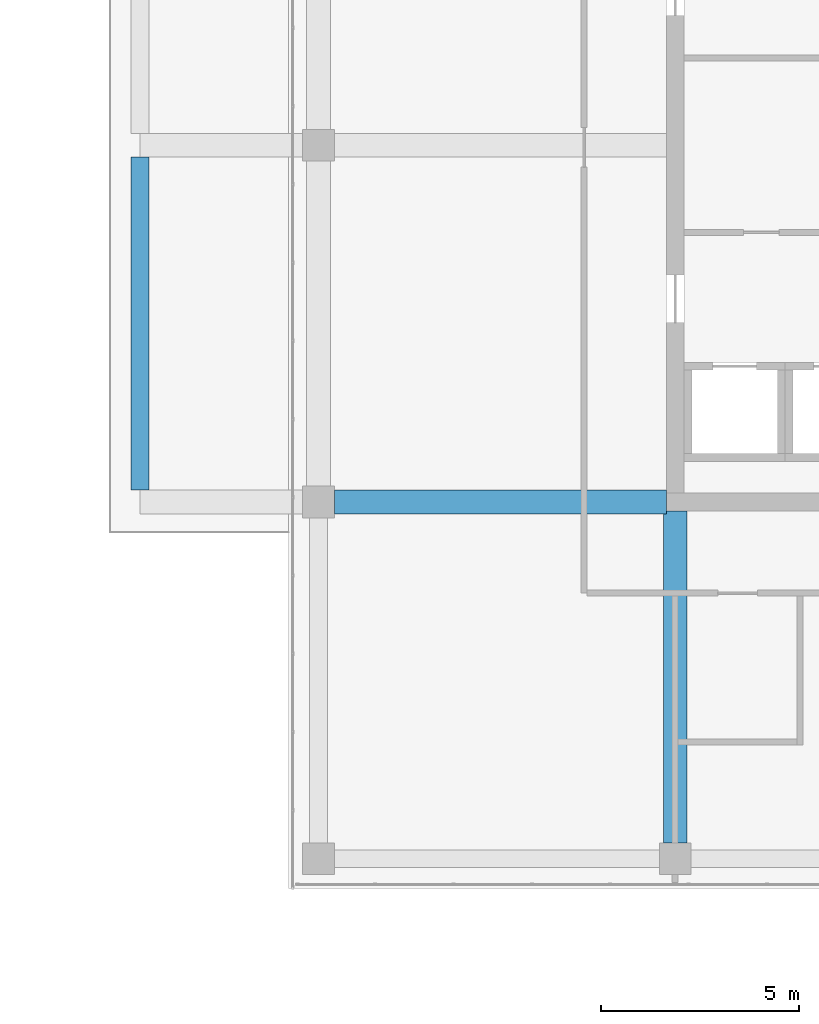
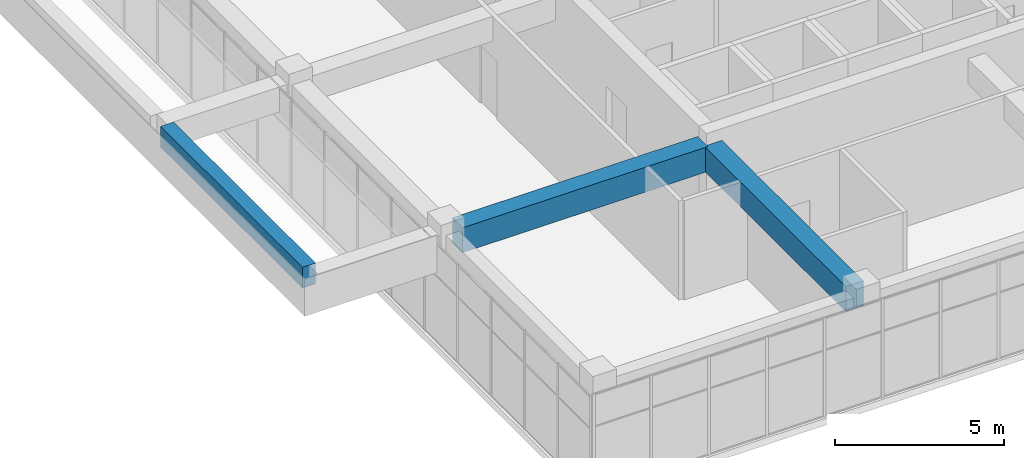
# One storey, part 17 of 52: 3 beams.
"""IFC4 building model written with IfcOpenShell, lengths in metres."""

from ifc_helpers import new_model, si_unit, direction, frame, origin, origin_2d, place, context, subcontext, project, spatial, rectangle, extrude, material, material_profile, profile_set, type_object, element, save


model = new_model("IFC4")

# Units and contexts
model_context = context("Model", 3, precision=1e-05, world=origin(), true_north=direction((0.0, 1.0)))
body_context = subcontext(model_context, "Body", "Model", "MODEL_VIEW")
ifc_project = project(units=[si_unit("LENGTHUNIT", "METRE"), si_unit("AREAUNIT", "SQUARE_METRE"), si_unit("VOLUMEUNIT", "CUBIC_METRE"), si_unit("PLANEANGLEUNIT", "RADIAN"), si_unit("MASSUNIT", "GRAM", prefix="KILO")], contexts=[model_context])

# Site, building, storey
site_placement = place(None, origin())
site = spatial("IfcSite", under=ifc_project, at=site_placement, CompositionType="ELEMENT")
building_placement = place(site_placement, origin())
building = spatial("IfcBuilding", under=site, at=building_placement, Name="Tuart Plaza Theatre", CompositionType="ELEMENT")
storey_placement = place(building_placement, frame((0.0, 0.0, 25.5)))
storey = spatial("IfcBuildingStorey", under=building, at=storey_placement, Name="L06", CompositionType="ELEMENT", Elevation=25.5)

# Beams
ifc_material_1 = material(Name="Concrete N40 (40 MPa)", Category="concrete")
ifc_material_profile_1 = material_profile(ifc_material_1, rectangle(XDim=0.449951171875, YDim=0.75, at=origin_2d()), Name="BEAM 450x750 Concrete N40 (40 MPa)")
ifc_profile_set_1 = profile_set([ifc_material_profile_1], Name="Concrete N40 (40 MPa)")
beam_type_1 = type_object("IfcBeamType", Name="BEAM 450x750 Concrete N40 (40 MPa)", PredefinedType="BEAM", material=ifc_profile_set_1)
beam_placement = place(storey_placement, frame((109.5, 65.300048828125, 3.205078125), z_axis=(0.0, 1.0, 0.0), x_axis=(-1.0, 0.0, 0.0)))
element("IfcBeam", 1, at=beam_placement, inside=storey, type_object=beam_type_1, Name="RB241", PredefinedType="BEAM", context=body_context, shape_type="SweptSolid", body=[
    extrude(rectangle(XDim=0.449951171875, YDim=0.75, at=origin_2d()), origin(), (0.0, 0.0, 1.0), 8.39990234375),
])
ifc_material_2 = material(Name="Concrete N40 (40 MPa)", Category="concrete")
ifc_material_profile_2 = material_profile(ifc_material_2, rectangle(XDim=0.60009765625, YDim=0.89990234375, at=origin_2d()), Name="BEAM 600x900 Concrete N40 (40 MPa)")
ifc_profile_set_2 = profile_set([ifc_material_profile_2], Name="Concrete N40 (40 MPa)")
beam_type_2 = type_object("IfcBeamType", Name="BEAM 600x900 Concrete N40 (40 MPa)", PredefinedType="BEAM", material=ifc_profile_set_2)
for number, where, z_axis, x_axis, name in (
    (2, (114.39990234375, 65.0, 3.1298828125), (1.0, 0.0, 0.0), (0.0, 1.0, 0.0), "RB210"),
    (3, (123.0, 56.39990234375, 3.1298828125), (0.0, 1.0, 0.0), (-1.0, 0.0, 0.0), "RB216"),
):
    element("IfcBeam", number, at=place(storey_placement, frame(where, z_axis=z_axis, x_axis=x_axis)), inside=storey, type_object=beam_type_2, Name=name, PredefinedType="BEAM", context=body_context, shape_type="SweptSolid", body=[
        extrude(rectangle(XDim=0.60009765625, YDim=0.89990234375, at=origin_2d()), origin(), (0.0, 0.0, 1.0), 8.375),
    ])

save(model, "model.ifc")
